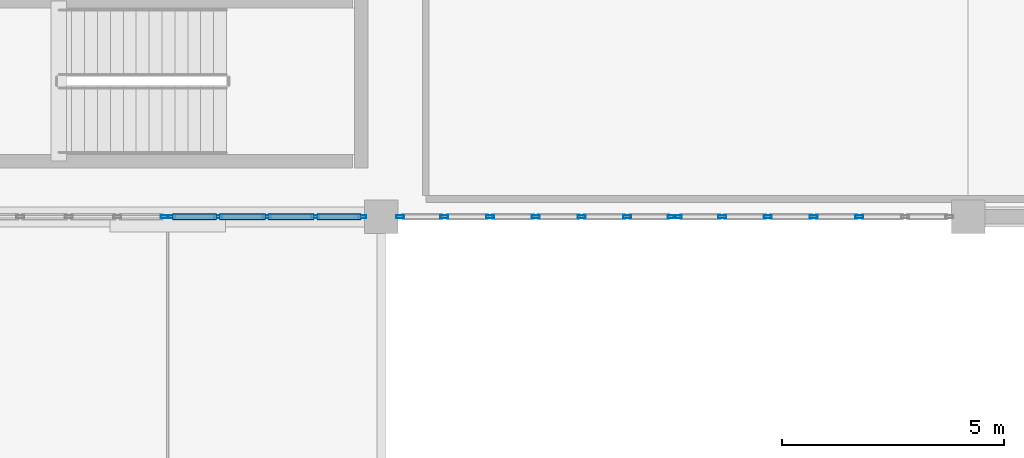
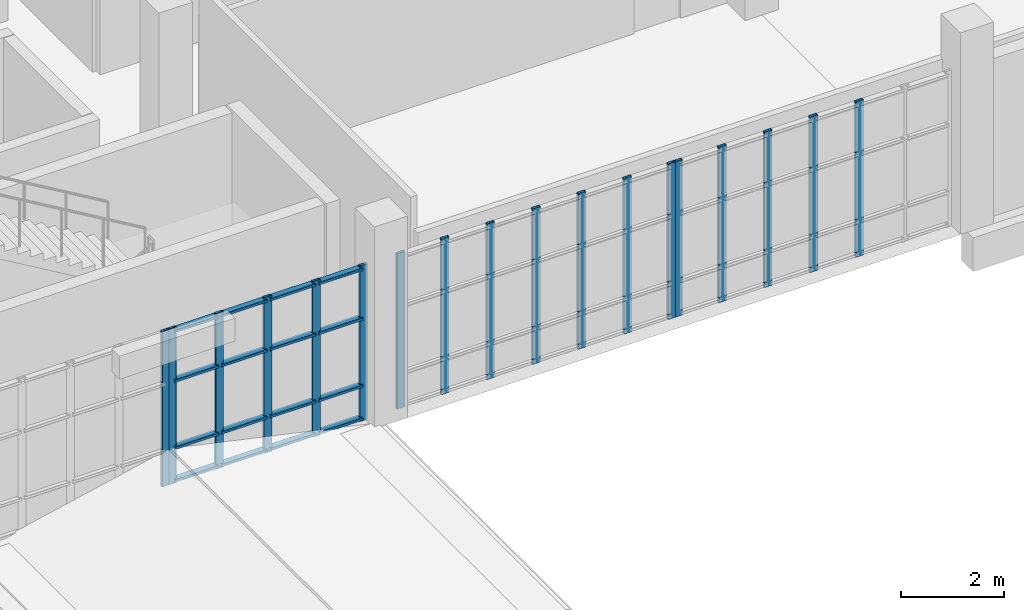
# One storey, part 55 of 106: 34 members, 4 elements without a shape of their own.
"""IFC4 building model written with IfcOpenShell, lengths in metres."""

import ifcopenshell
import ifcopenshell.guid

model = None  # the IFC model being written
_history = None  # IfcOwnerHistory: only IFC2X3 demands one
_inside = {}  # id of a spatial element -> (the spatial element, [elements in it])
_under = {}  # id of a project, library or spatial element -> (it, [spatial elements below it])
_declared = {}  # id of a project -> (the project, [libraries it declares])
_typed = {}  # id of a type object -> (the type object, [elements of that type])
_made_of = {}  # id of a material, layer set ... -> (it, [elements and type objects made of it])


def new_model(schema):
    """Start an empty IFC model of exactly this schema.

    Asked for "IFC4X3", IfcOpenShell would pick the latest addendum, in which some entities
    have other attributes; the version numbers below select the first issue.
    IFC2X3 requires an IfcOwnerHistory on every rooted entity: one is made here for all.
    """
    global model, _history
    if schema == "IFC4X3":
        model = ifcopenshell.file(schema_version=(4, 3, 0, 0))
    else:
        model = ifcopenshell.file(schema=schema)
    _inside.clear()
    _under.clear()
    _declared.clear()
    _typed.clear()
    _made_of.clear()
    _history = None
    if model.schema == "IFC2X3":
        org = make("IfcOrganization", Name="unknown")
        user = make(
            "IfcPersonAndOrganization",
            ThePerson=make("IfcPerson", FamilyName="unknown"),
            TheOrganization=org,
        )
        app = make(
            "IfcApplication",
            ApplicationDeveloper=org,
            Version="unknown",
            ApplicationFullName="unknown",
            ApplicationIdentifier="unknown",
        )
        _history = make(
            "IfcOwnerHistory",
            OwningUser=user,
            OwningApplication=app,
            ChangeAction="ADDED",
            CreationDate=0,
        )
    return model


def make(cls, **values):
    """One entity of the class cls with the attributes given. An attribute that is None is left unset."""
    return model.create_entity(
        cls, **{name: value for name, value in values.items() if value is not None}
    )


def rooted(cls, **values):
    """An entity with a GlobalId (a new one), such as an element, a storey or a relation."""
    return make(cls, GlobalId=ifcopenshell.guid.new(), OwnerHistory=_history, **values)


def si_unit(unit_type, name, prefix=None):
    """IfcSIUnit, for example si_unit("LENGTHUNIT", "METRE", prefix="MILLI")."""
    return make("IfcSIUnit", UnitType=unit_type, Prefix=prefix, Name=name)


def assignment(units):
    """IfcUnitAssignment: the units of a project."""
    return None if units is None else make("IfcUnitAssignment", Units=units)


def point(xyz):
    """IfcCartesianPoint."""
    return None if xyz is None else make("IfcCartesianPoint", Coordinates=xyz)


def direction(xyz):
    """IfcDirection."""
    return None if xyz is None else make("IfcDirection", DirectionRatios=xyz)


def frame(location, z_axis=None, x_axis=None):
    """IfcAxis2Placement3D, a coordinate frame: its origin and axes. An axis left out is left unset."""
    return make(
        "IfcAxis2Placement3D",
        Location=point(location),
        Axis=direction(z_axis),
        RefDirection=direction(x_axis),
    )


def frame_2d(location, x_axis=None):
    """IfcAxis2Placement2D, a coordinate frame in the plane: its origin and x axis."""
    return make(
        "IfcAxis2Placement2D", Location=point(location), RefDirection=direction(x_axis)
    )


def origin():
    """The frame at (0, 0, 0) with its axes left unset."""
    return frame((0.0, 0.0, 0.0))


def origin_2d():
    """The frame at (0, 0) in the plane with its x axis left unset."""
    return frame_2d((0.0, 0.0))


def place(relative_to, where):
    """IfcLocalPlacement: puts the frame where relative to a parent placement (None: the world)."""
    return make(
        "IfcLocalPlacement", PlacementRelTo=relative_to, RelativePlacement=where
    )


def context(
    kind, dimensions, precision=None, world=None, true_north=None, identifier=None
):
    """IfcGeometricRepresentationContext, for example the 3D "Model" context."""
    return make(
        "IfcGeometricRepresentationContext",
        ContextIdentifier=identifier,
        ContextType=kind,
        CoordinateSpaceDimension=dimensions,
        Precision=precision,
        WorldCoordinateSystem=world,
        TrueNorth=true_north,
    )


def subcontext(parent, identifier, kind, view, scale=None):
    """IfcGeometricRepresentationSubContext, for example "Body" below "Model"."""
    return make(
        "IfcGeometricRepresentationSubContext",
        ContextIdentifier=identifier,
        ContextType=kind,
        ParentContext=parent,
        TargetScale=scale,
        TargetView=view,
    )


def project(units=None, contexts=None):
    """IfcProject with its units and contexts."""
    return rooted(
        "IfcProject",
        Name="project",
        RepresentationContexts=contexts,
        UnitsInContext=assignment(units),
    )


def spatial(cls, under=None, at=None, **own):
    """A site, building, storey or space (cls), placed at a placement, below another one or the project."""
    s = rooted(cls, ObjectPlacement=at, **own)
    if under is not None:
        _under.setdefault(under.id(), (under, []))[1].append(s)
    return s


def profile(cls, at=None, kind="AREA", **sizes):
    """A parametric profile (cls). Its sizes go by their IFC names, for example OverallWidth=200.0."""
    return make(cls, ProfileType=kind, Position=at, **sizes)


def hollow_rectangle(**sizes):
    """IfcRectangleHollowProfileDef."""
    return profile("IfcRectangleHollowProfileDef", **sizes)


def extrude(swept, where, along, depth):
    """IfcExtrudedAreaSolid: the profile swept, set in the frame where, extruded along a direction by depth."""
    return make(
        "IfcExtrudedAreaSolid",
        SweptArea=swept,
        Position=where,
        ExtrudedDirection=direction(along),
        Depth=depth,
    )


def shape(context_of_items, identifier, shape_type, items):
    """IfcShapeRepresentation: the items that make up one representation, for example the "Body"."""
    return make(
        "IfcShapeRepresentation",
        ContextOfItems=context_of_items,
        RepresentationIdentifier=identifier,
        RepresentationType=shape_type,
        Items=items,
    )


def material(Name=None, Category=None):
    """IfcMaterial."""
    return make("IfcMaterial", Name=Name, Category=Category)


def layer(
    of_material, thickness, ventilated=None, Name=None, Category=None, Priority=None
):
    """IfcMaterialLayer: one layer of a wall or slab, of a material (None: an air gap)."""
    return make(
        "IfcMaterialLayer",
        Material=of_material,
        LayerThickness=thickness,
        IsVentilated=ventilated,
        Name=Name,
        Category=Category,
        Priority=Priority,
    )


def layer_set(layers, Name=None):
    """IfcMaterialLayerSet."""
    return make("IfcMaterialLayerSet", MaterialLayers=layers, LayerSetName=Name)


def material_profile(
    of_material, cross_section, Name=None, Category=None, Priority=None
):
    """IfcMaterialProfile: a cross section and its material."""
    return make(
        "IfcMaterialProfile",
        Name=Name,
        Material=of_material,
        Profile=cross_section,
        Priority=Priority,
        Category=Category,
    )


def profile_set(profiles, Name=None, composite=None):
    """IfcMaterialProfileSet."""
    return make(
        "IfcMaterialProfileSet",
        Name=Name,
        MaterialProfiles=profiles,
        CompositeProfile=composite,
    )


def made_of(thing, what):
    """Note that an element or type object is made of a material, layer set ...; save() writes the relation."""
    if what is not None:
        _made_of.setdefault(what.id(), (what, []))[1].append(thing)
    return thing


def type_object(cls, material=None, **own):
    """A type object (cls), such as IfcWallType, which elements share."""
    return made_of(rooted(cls, **own), material)


def element(
    cls,
    number,
    at=None,
    inside=None,
    cuts=None,
    type_object=None,
    material=None,
    context=None,
    identifier="Body",
    shape_type=None,
    held_by="IfcProductDefinitionShape",
    body=None,
    shapes=None,
    **own,
):
    """One element of the class cls, such as IfcWall. Its Tag is "e" and its number.

    at: its placement. inside: the storey or other place that contains it. cuts: it is an
    opening in that element (IfcRelVoidsElement). A single representation is given by context,
    identifier, shape_type and body (its items); several are given by shapes. held_by: the class
    of the entity that holds the representations. save() writes the other relations.
    """
    e = rooted(cls, Tag="e%d" % number, ObjectPlacement=at, **own)
    if body is not None:
        shapes = [shape(context, identifier, shape_type, body)]
    if shapes is not None:
        e.Representation = make(held_by, Representations=shapes)
    if inside is not None:
        _inside.setdefault(inside.id(), (inside, []))[1].append(e)
    if cuts is not None:
        rooted(
            "IfcRelVoidsElement", RelatingBuildingElement=cuts, RelatedOpeningElement=e
        )
    if type_object is not None:
        _typed.setdefault(type_object.id(), (type_object, []))[1].append(e)
    return made_of(e, material)


def aggregate(whole, parts):
    """IfcRelAggregates: a whole, such as a stair, and the parts it consists of."""
    return rooted("IfcRelAggregates", RelatingObject=whole, RelatedObjects=parts)


def save(model, path):
    """Write the relations noted so far, then the file.

    IfcRelAggregates (storeys below a building ...), IfcRelContainedInSpatialStructure (elements
    in a storey), IfcRelDefinesByType, IfcRelAssociatesMaterial and IfcRelDeclares: one each for
    every whole, place, type object, material and project.
    """
    for whole, parts in _under.values():
        aggregate(whole, parts)
    for where, things in _inside.values():
        rooted(
            "IfcRelContainedInSpatialStructure",
            RelatedElements=things,
            RelatingStructure=where,
        )
    for kind, things in _typed.values():
        rooted("IfcRelDefinesByType", RelatedObjects=things, RelatingType=kind)
    for what, things in _made_of.values():
        rooted("IfcRelAssociatesMaterial", RelatedObjects=things, RelatingMaterial=what)
    for by, libraries in _declared.values():
        rooted("IfcRelDeclares", RelatingContext=by, RelatedDefinitions=libraries)
    model.write(path)


model = new_model("IFC4")

# Units and contexts
model_context = context("Model", 3, precision=1e-05, world=origin(), true_north=direction((0.0, 1.0)))
body_context = subcontext(model_context, "Body", "Model", "MODEL_VIEW")
ifc_project = project(units=[si_unit("LENGTHUNIT", "METRE"), si_unit("AREAUNIT", "SQUARE_METRE"), si_unit("VOLUMEUNIT", "CUBIC_METRE"), si_unit("PLANEANGLEUNIT", "RADIAN"), si_unit("MASSUNIT", "GRAM", prefix="KILO")], contexts=[model_context])

# Site, building, storey
site_placement = place(None, origin())
site = spatial("IfcSite", under=ifc_project, at=site_placement, CompositionType="ELEMENT")
building_placement = place(site_placement, origin())
building = spatial("IfcBuilding", under=site, at=building_placement, Name="Kisaragi Civic Commons", CompositionType="ELEMENT")
storey_placement = place(building_placement, frame((0.0, 0.0, 4.800048828125)))
storey = spatial("IfcBuildingStorey", under=building, at=storey_placement, Name="L01", CompositionType="ELEMENT", Elevation=4.800048828125)

# Curtain wall, members
ifc_material = material(Name="Thermally broken anodized aluminium and low-E double glazing", Category="aluminium")
ifc_layer = layer(ifc_material, 0.179931640625, Name="Thermally broken anodized aluminium and low-E double glazing", Category="aluminium")
ifc_layer_set = layer_set([ifc_layer], Name="Thermally broken anodized aluminium and low-E double glazing")
curtain_wall_type = type_object("IfcCurtainWallType", Name="CW-01", PredefinedType="NOTDEFINED", material=ifc_layer_set)
curtain_wall_1_placement = place(storey_placement, origin())
curtain_wall_1 = element("IfcCurtainWall", 1, at=curtain_wall_1_placement, inside=storey, type_object=curtain_wall_type, Name="L01 curtain wall CW-01 CW-V4-L01-073", PredefinedType="NOTDEFINED")
ifc_material_profile_1 = material_profile(ifc_material, hollow_rectangle(XDim=0.06494140625, YDim=0.179931640625, WallThickness=0.00439453125, InnerFilletRadius=0.00439453125, OuterFilletRadius=0.009033203125, at=origin_2d()), Name="CWM-65x180x4.5", Category="aluminium")
ifc_profile_set_1 = profile_set([ifc_material_profile_1], Name="Thermally broken anodized aluminium and low-E double glazing")
member_type_1 = type_object("IfcMemberType", Name="CWM-02", PredefinedType="MULLION", material=ifc_profile_set_1)
member_1_placement = place(storey_placement, frame((143.953369140625, 96.0, 0.0), z_axis=(0.0, 0.0, 1.0), x_axis=(0.0, -1.0, 0.0)))
member_1 = element("IfcMember", 2, at=member_1_placement, type_object=member_type_1, Name="CW-01 mullion 3", PredefinedType="MULLION", context=body_context, shape_type="SweptSolid", body=[
    extrude(hollow_rectangle(XDim=0.06494140625, YDim=0.179931640625, WallThickness=0.00439453125, InnerFilletRadius=0.00439453125, OuterFilletRadius=0.009033203125, at=origin_2d()), origin(), (0.0, 0.0, 1.0), 3.704833984375),
])
member_2_placement = place(storey_placement, frame((142.925048828125, 96.0, 0.0), z_axis=(0.0, 0.0, 1.0), x_axis=(0.0, -1.0, 0.0)))
member_2 = element("IfcMember", 3, at=member_2_placement, type_object=member_type_1, Name="CW-01 mullion 4", PredefinedType="MULLION", context=body_context, shape_type="SweptSolid", body=[
    extrude(hollow_rectangle(XDim=0.06494140625, YDim=0.179931640625, WallThickness=0.00439453125, InnerFilletRadius=0.00439453125, OuterFilletRadius=0.009033203125, at=origin_2d()), origin(), (0.0, 0.0, 1.0), 3.704833984375),
])
member_3_placement = place(storey_placement, frame((141.896728515625, 96.0, 0.0), z_axis=(0.0, 0.0, 1.0), x_axis=(0.0, -1.0, 0.0)))
member_3 = element("IfcMember", 4, at=member_3_placement, type_object=member_type_1, Name="CW-01 mullion 5", PredefinedType="MULLION", context=body_context, shape_type="SweptSolid", body=[
    extrude(hollow_rectangle(XDim=0.06494140625, YDim=0.179931640625, WallThickness=0.00439453125, InnerFilletRadius=0.00439453125, OuterFilletRadius=0.009033203125, at=origin_2d()), origin(), (0.0, 0.0, 1.0), 3.704833984375),
])
member_4_placement = place(storey_placement, frame((140.868408203125, 96.0, 0.0), z_axis=(0.0, 0.0, 1.0), x_axis=(0.0, -1.0, 0.0)))
member_4 = element("IfcMember", 5, at=member_4_placement, type_object=member_type_1, Name="CW-01 mullion 6", PredefinedType="MULLION", context=body_context, shape_type="SweptSolid", body=[
    extrude(hollow_rectangle(XDim=0.06494140625, YDim=0.179931640625, WallThickness=0.00439453125, InnerFilletRadius=0.00439453125, OuterFilletRadius=0.009033203125, at=origin_2d()), origin(), (0.0, 0.0, 1.0), 3.704833984375),
])
member_5_placement = place(storey_placement, frame((139.87255859375, 96.0, 0.0), z_axis=(0.0, 0.0, 1.0), x_axis=(0.0, -1.0, 0.0)))
member_5 = element("IfcMember", 6, at=member_5_placement, type_object=member_type_1, Name="CW-01 mullion 7", PredefinedType="MULLION", context=body_context, shape_type="SweptSolid", body=[
    extrude(hollow_rectangle(XDim=0.06494140625, YDim=0.179931640625, WallThickness=0.00439453125, InnerFilletRadius=0.00439453125, OuterFilletRadius=0.009033203125, at=origin_2d()), origin(), (0.0, 0.0, 1.0), 3.704833984375),
])
aggregate(curtain_wall_1, [member_1, member_2, member_3, member_4, member_5])

curtain_wall_2_placement = place(storey_placement, origin())
curtain_wall_2 = element("IfcCurtainWall", 7, at=curtain_wall_2_placement, inside=storey, type_object=curtain_wall_type, Name="L01 curtain wall CW-01 CW-V4-L01-074", PredefinedType="NOTDEFINED")
member_6_placement = place(storey_placement, frame((139.7275390625, 96.0, 0.0), z_axis=(0.0, 0.0, 1.0), x_axis=(0.0, -1.0, 0.0)))
member_6 = element("IfcMember", 8, at=member_6_placement, type_object=member_type_1, Name="CW-01 mullion 1", PredefinedType="MULLION", context=body_context, shape_type="SweptSolid", body=[
    extrude(hollow_rectangle(XDim=0.06494140625, YDim=0.179931640625, WallThickness=0.00439453125, InnerFilletRadius=0.00439453125, OuterFilletRadius=0.009033203125, at=origin_2d()), origin(), (0.0, 0.0, 1.0), 3.704833984375),
])
member_7_placement = place(storey_placement, frame((138.731689453125, 96.0, 0.0), z_axis=(0.0, 0.0, 1.0), x_axis=(0.0, -1.0, 0.0)))
member_7 = element("IfcMember", 9, at=member_7_placement, type_object=member_type_1, Name="CW-01 mullion 2", PredefinedType="MULLION", context=body_context, shape_type="SweptSolid", body=[
    extrude(hollow_rectangle(XDim=0.06494140625, YDim=0.179931640625, WallThickness=0.00439453125, InnerFilletRadius=0.00439453125, OuterFilletRadius=0.009033203125, at=origin_2d()), origin(), (0.0, 0.0, 1.0), 3.704833984375),
])
member_8_placement = place(storey_placement, frame((137.703369140625, 96.0, 0.0), z_axis=(0.0, 0.0, 1.0), x_axis=(0.0, -1.0, 0.0)))
member_8 = element("IfcMember", 10, at=member_8_placement, type_object=member_type_1, Name="CW-01 mullion 3", PredefinedType="MULLION", context=body_context, shape_type="SweptSolid", body=[
    extrude(hollow_rectangle(XDim=0.06494140625, YDim=0.179931640625, WallThickness=0.00439453125, InnerFilletRadius=0.00439453125, OuterFilletRadius=0.009033203125, at=origin_2d()), origin(), (0.0, 0.0, 1.0), 3.704833984375),
])
member_9_placement = place(storey_placement, frame((136.675048828125, 96.0, 0.0), z_axis=(0.0, 0.0, 1.0), x_axis=(0.0, -1.0, 0.0)))
member_9 = element("IfcMember", 11, at=member_9_placement, type_object=member_type_1, Name="CW-01 mullion 4", PredefinedType="MULLION", context=body_context, shape_type="SweptSolid", body=[
    extrude(hollow_rectangle(XDim=0.06494140625, YDim=0.179931640625, WallThickness=0.00439453125, InnerFilletRadius=0.00439453125, OuterFilletRadius=0.009033203125, at=origin_2d()), origin(), (0.0, 0.0, 1.0), 3.704833984375),
])
member_10_placement = place(storey_placement, frame((135.646728515625, 96.0, 0.0), z_axis=(0.0, 0.0, 1.0), x_axis=(0.0, -1.0, 0.0)))
member_10 = element("IfcMember", 12, at=member_10_placement, type_object=member_type_1, Name="CW-01 mullion 5", PredefinedType="MULLION", context=body_context, shape_type="SweptSolid", body=[
    extrude(hollow_rectangle(XDim=0.06494140625, YDim=0.179931640625, WallThickness=0.00439453125, InnerFilletRadius=0.00439453125, OuterFilletRadius=0.009033203125, at=origin_2d()), origin(), (0.0, 0.0, 1.0), 3.704833984375),
])
member_11_placement = place(storey_placement, frame((134.618408203125, 96.0, 0.0), z_axis=(0.0, 0.0, 1.0), x_axis=(0.0, -1.0, 0.0)))
member_11 = element("IfcMember", 13, at=member_11_placement, type_object=member_type_1, Name="CW-01 mullion 6", PredefinedType="MULLION", context=body_context, shape_type="SweptSolid", body=[
    extrude(hollow_rectangle(XDim=0.06494140625, YDim=0.179931640625, WallThickness=0.00439453125, InnerFilletRadius=0.00439453125, OuterFilletRadius=0.009033203125, at=origin_2d()), origin(), (0.0, 0.0, 1.0), 3.704833984375),
])
member_12_placement = place(storey_placement, frame((133.62255859375, 96.0, 0.0), z_axis=(0.0, 0.0, 1.0), x_axis=(0.0, -1.0, 0.0)))
member_12 = element("IfcMember", 14, at=member_12_placement, type_object=member_type_1, Name="CW-01 mullion 7", PredefinedType="MULLION", context=body_context, shape_type="SweptSolid", body=[
    extrude(hollow_rectangle(XDim=0.06494140625, YDim=0.179931640625, WallThickness=0.00439453125, InnerFilletRadius=0.00439453125, OuterFilletRadius=0.009033203125, at=origin_2d()), origin(), (0.0, 0.0, 1.0), 3.704833984375),
])
aggregate(curtain_wall_2, [member_6, member_7, member_8, member_9, member_10, member_11, member_12])

curtain_wall_3_placement = place(storey_placement, origin())
curtain_wall_3 = element("IfcCurtainWall", 15, at=curtain_wall_3_placement, inside=storey, type_object=curtain_wall_type, Name="L01 curtain wall CW-01 CW-V4-L01-075", PredefinedType="NOTDEFINED")
member_13_placement = place(storey_placement, frame((132.777587890625, 96.0, 0.0), z_axis=(0.0, 0.0, 1.0), x_axis=(0.0, -1.0, 0.0)))
member_13 = element("IfcMember", 16, at=member_13_placement, type_object=member_type_1, Name="CW-01 mullion 1", PredefinedType="MULLION", context=body_context, shape_type="SweptSolid", body=[
    extrude(hollow_rectangle(XDim=0.06494140625, YDim=0.179931640625, WallThickness=0.00439453125, InnerFilletRadius=0.00439453125, OuterFilletRadius=0.009033203125, at=origin_2d()), origin(), (0.0, 0.0, 1.0), 3.704833984375),
])
member_14_placement = place(storey_placement, frame((131.717529296875, 96.0, 0.0), z_axis=(0.0, 0.0, 1.0), x_axis=(0.0, -1.0, 0.0)))
member_14 = element("IfcMember", 17, at=member_14_placement, type_object=member_type_1, Name="CW-01 mullion 2", PredefinedType="MULLION", context=body_context, shape_type="SweptSolid", body=[
    extrude(hollow_rectangle(XDim=0.06494140625, YDim=0.179931640625, WallThickness=0.00439453125, InnerFilletRadius=0.00439453125, OuterFilletRadius=0.009033203125, at=origin_2d()), origin(), (0.0, 0.0, 1.0), 3.704833984375),
])
member_15_placement = place(storey_placement, frame((130.625, 96.0, 0.0), z_axis=(0.0, 0.0, 1.0), x_axis=(0.0, -1.0, 0.0)))
member_15 = element("IfcMember", 18, at=member_15_placement, type_object=member_type_1, Name="CW-01 mullion 3", PredefinedType="MULLION", context=body_context, shape_type="SweptSolid", body=[
    extrude(hollow_rectangle(XDim=0.06494140625, YDim=0.179931640625, WallThickness=0.00439453125, InnerFilletRadius=0.00439453125, OuterFilletRadius=0.009033203125, at=origin_2d()), origin(), (0.0, 0.0, 1.0), 3.704833984375),
])
member_16_placement = place(storey_placement, frame((129.532470703125, 96.0, 0.0), z_axis=(0.0, 0.0, 1.0), x_axis=(0.0, -1.0, 0.0)))
member_16 = element("IfcMember", 19, at=member_16_placement, type_object=member_type_1, Name="CW-01 mullion 4", PredefinedType="MULLION", context=body_context, shape_type="SweptSolid", body=[
    extrude(hollow_rectangle(XDim=0.06494140625, YDim=0.179931640625, WallThickness=0.00439453125, InnerFilletRadius=0.00439453125, OuterFilletRadius=0.009033203125, at=origin_2d()), origin(), (0.0, 0.0, 1.0), 3.704833984375),
])
member_17_placement = place(storey_placement, frame((128.472412109375, 96.0, 0.0), z_axis=(0.0, 0.0, 1.0), x_axis=(0.0, -1.0, 0.0)))
member_17 = element("IfcMember", 20, at=member_17_placement, type_object=member_type_1, Name="CW-01 mullion 5", PredefinedType="MULLION", context=body_context, shape_type="SweptSolid", body=[
    extrude(hollow_rectangle(XDim=0.06494140625, YDim=0.179931640625, WallThickness=0.00439453125, InnerFilletRadius=0.00439453125, OuterFilletRadius=0.009033203125, at=origin_2d()), origin(), (0.0, 0.0, 1.0), 3.704833984375),
])

# Curtain wall, member
curtain_wall_4_placement = place(storey_placement, origin())
curtain_wall_4 = element("IfcCurtainWall", 21, at=curtain_wall_4_placement, inside=storey, type_object=curtain_wall_type, Name="L01 curtain wall CW-01 CW-V4-L01-076", PredefinedType="NOTDEFINED")
member_18_placement = place(storey_placement, frame((128.327392578125, 96.0, 0.0), z_axis=(0.0, 0.0, 1.0), x_axis=(0.0, -1.0, 0.0)))
member_18 = element("IfcMember", 22, at=member_18_placement, type_object=member_type_1, Name="CW-01 mullion 1", PredefinedType="MULLION", context=body_context, shape_type="SweptSolid", body=[
    extrude(hollow_rectangle(XDim=0.06494140625, YDim=0.179931640625, WallThickness=0.00439453125, InnerFilletRadius=0.00439453125, OuterFilletRadius=0.009033203125, at=origin_2d()), origin(), (0.0, 0.0, 1.0), 3.704833984375),
])
aggregate(curtain_wall_4, [member_18])

# Member
ifc_material_profile_2 = material_profile(ifc_material, hollow_rectangle(XDim=0.139892578125, YDim=0.06494140625, WallThickness=0.00439453125, InnerFilletRadius=0.00439453125, OuterFilletRadius=0.009033203125, at=origin_2d()), Name="CWT-65x140x4.5", Category="aluminium")
ifc_profile_set_2 = profile_set([ifc_material_profile_2], Name="Thermally broken anodized aluminium and low-E double glazing")
member_type_2 = type_object("IfcMemberType", Name="CWT-02", PredefinedType="USERDEFINED", material=ifc_profile_set_2)
member_19_placement = place(storey_placement, frame((132.7451171875, 96.0, 0.070068359375), z_axis=(-1.0, 0.0, 0.0), x_axis=(0.0, -1.0, 0.0)))
member_19 = element("IfcMember", 23, at=member_19_placement, type_object=member_type_2, Name="CW-01 transom 1.1", ObjectType="TRANSOM", PredefinedType="USERDEFINED", context=body_context, shape_type="SweptSolid", body=[
    extrude(hollow_rectangle(XDim=0.139892578125, YDim=0.06494140625, WallThickness=0.00439453125, InnerFilletRadius=0.00439453125, OuterFilletRadius=0.009033203125, at=origin_2d()), origin(), (0.0, 0.0, 1.0), 0.9951171875),
])

member_20_placement = place(storey_placement, frame((132.7451171875, 96.0, 0.849853515625), z_axis=(-1.0, 0.0, 0.0), x_axis=(0.0, -1.0, 0.0)))
member_20 = element("IfcMember", 24, at=member_20_placement, type_object=member_type_2, Name="CW-01 transom 1.2", ObjectType="TRANSOM", PredefinedType="USERDEFINED", context=body_context, shape_type="SweptSolid", body=[
    extrude(hollow_rectangle(XDim=0.139892578125, YDim=0.06494140625, WallThickness=0.00439453125, InnerFilletRadius=0.00439453125, OuterFilletRadius=0.009033203125, at=origin_2d()), origin(), (0.0, 0.0, 1.0), 0.9951171875),
])

member_21_placement = place(storey_placement, frame((132.7451171875, 96.0, 2.449951171875), z_axis=(-1.0, 0.0, 0.0), x_axis=(0.0, -1.0, 0.0)))
member_21 = element("IfcMember", 25, at=member_21_placement, type_object=member_type_2, Name="CW-01 transom 1.3", ObjectType="TRANSOM", PredefinedType="USERDEFINED", context=body_context, shape_type="SweptSolid", body=[
    extrude(hollow_rectangle(XDim=0.139892578125, YDim=0.06494140625, WallThickness=0.00439453125, InnerFilletRadius=0.00439453125, OuterFilletRadius=0.009033203125, at=origin_2d()), origin(), (0.0, 0.0, 1.0), 0.9951171875),
])

member_22_placement = place(storey_placement, frame((132.7451171875, 96.0, 3.635009765625), z_axis=(-1.0, 0.0, 0.0), x_axis=(0.0, -1.0, 0.0)))
member_22 = element("IfcMember", 26, at=member_22_placement, type_object=member_type_2, Name="CW-01 transom 1.4", ObjectType="TRANSOM", PredefinedType="USERDEFINED", context=body_context, shape_type="SweptSolid", body=[
    extrude(hollow_rectangle(XDim=0.139892578125, YDim=0.06494140625, WallThickness=0.00439453125, InnerFilletRadius=0.00439453125, OuterFilletRadius=0.009033203125, at=origin_2d()), origin(), (0.0, 0.0, 1.0), 0.9951171875),
])

member_23_placement = place(storey_placement, frame((131.68505859375, 96.0, 0.070068359375), z_axis=(-1.0, 0.0, 0.0), x_axis=(0.0, -1.0, 0.0)))
member_23 = element("IfcMember", 27, at=member_23_placement, type_object=member_type_2, Name="CW-01 transom 2.1", ObjectType="TRANSOM", PredefinedType="USERDEFINED", context=body_context, shape_type="SweptSolid", body=[
    extrude(hollow_rectangle(XDim=0.139892578125, YDim=0.06494140625, WallThickness=0.00439453125, InnerFilletRadius=0.00439453125, OuterFilletRadius=0.009033203125, at=origin_2d()), origin(), (0.0, 0.0, 1.0), 1.027587890625),
])

member_24_placement = place(storey_placement, frame((131.68505859375, 96.0, 0.849853515625), z_axis=(-1.0, 0.0, 0.0), x_axis=(0.0, -1.0, 0.0)))
member_24 = element("IfcMember", 28, at=member_24_placement, type_object=member_type_2, Name="CW-01 transom 2.2", ObjectType="TRANSOM", PredefinedType="USERDEFINED", context=body_context, shape_type="SweptSolid", body=[
    extrude(hollow_rectangle(XDim=0.139892578125, YDim=0.06494140625, WallThickness=0.00439453125, InnerFilletRadius=0.00439453125, OuterFilletRadius=0.009033203125, at=origin_2d()), origin(), (0.0, 0.0, 1.0), 1.027587890625),
])

member_25_placement = place(storey_placement, frame((131.68505859375, 96.0, 2.449951171875), z_axis=(-1.0, 0.0, 0.0), x_axis=(0.0, -1.0, 0.0)))
member_25 = element("IfcMember", 29, at=member_25_placement, type_object=member_type_2, Name="CW-01 transom 2.3", ObjectType="TRANSOM", PredefinedType="USERDEFINED", context=body_context, shape_type="SweptSolid", body=[
    extrude(hollow_rectangle(XDim=0.139892578125, YDim=0.06494140625, WallThickness=0.00439453125, InnerFilletRadius=0.00439453125, OuterFilletRadius=0.009033203125, at=origin_2d()), origin(), (0.0, 0.0, 1.0), 1.027587890625),
])

member_26_placement = place(storey_placement, frame((131.68505859375, 96.0, 3.635009765625), z_axis=(-1.0, 0.0, 0.0), x_axis=(0.0, -1.0, 0.0)))
member_26 = element("IfcMember", 30, at=member_26_placement, type_object=member_type_2, Name="CW-01 transom 2.4", ObjectType="TRANSOM", PredefinedType="USERDEFINED", context=body_context, shape_type="SweptSolid", body=[
    extrude(hollow_rectangle(XDim=0.139892578125, YDim=0.06494140625, WallThickness=0.00439453125, InnerFilletRadius=0.00439453125, OuterFilletRadius=0.009033203125, at=origin_2d()), origin(), (0.0, 0.0, 1.0), 1.027587890625),
])

member_27_placement = place(storey_placement, frame((130.592529296875, 96.0, 0.070068359375), z_axis=(-1.0, 0.0, 0.0), x_axis=(0.0, -1.0, 0.0)))
member_27 = element("IfcMember", 31, at=member_27_placement, type_object=member_type_2, Name="CW-01 transom 3.1", ObjectType="TRANSOM", PredefinedType="USERDEFINED", context=body_context, shape_type="SweptSolid", body=[
    extrude(hollow_rectangle(XDim=0.139892578125, YDim=0.06494140625, WallThickness=0.00439453125, InnerFilletRadius=0.00439453125, OuterFilletRadius=0.009033203125, at=origin_2d()), origin(), (0.0, 0.0, 1.0), 1.027587890625),
])

member_28_placement = place(storey_placement, frame((130.592529296875, 96.0, 0.849853515625), z_axis=(-1.0, 0.0, 0.0), x_axis=(0.0, -1.0, 0.0)))
member_28 = element("IfcMember", 32, at=member_28_placement, type_object=member_type_2, Name="CW-01 transom 3.2", ObjectType="TRANSOM", PredefinedType="USERDEFINED", context=body_context, shape_type="SweptSolid", body=[
    extrude(hollow_rectangle(XDim=0.139892578125, YDim=0.06494140625, WallThickness=0.00439453125, InnerFilletRadius=0.00439453125, OuterFilletRadius=0.009033203125, at=origin_2d()), origin(), (0.0, 0.0, 1.0), 1.027587890625),
])

member_29_placement = place(storey_placement, frame((130.592529296875, 96.0, 2.449951171875), z_axis=(-1.0, 0.0, 0.0), x_axis=(0.0, -1.0, 0.0)))
member_29 = element("IfcMember", 33, at=member_29_placement, type_object=member_type_2, Name="CW-01 transom 3.3", ObjectType="TRANSOM", PredefinedType="USERDEFINED", context=body_context, shape_type="SweptSolid", body=[
    extrude(hollow_rectangle(XDim=0.139892578125, YDim=0.06494140625, WallThickness=0.00439453125, InnerFilletRadius=0.00439453125, OuterFilletRadius=0.009033203125, at=origin_2d()), origin(), (0.0, 0.0, 1.0), 1.027587890625),
])

member_30_placement = place(storey_placement, frame((130.592529296875, 96.0, 3.635009765625), z_axis=(-1.0, 0.0, 0.0), x_axis=(0.0, -1.0, 0.0)))
member_30 = element("IfcMember", 34, at=member_30_placement, type_object=member_type_2, Name="CW-01 transom 3.4", ObjectType="TRANSOM", PredefinedType="USERDEFINED", context=body_context, shape_type="SweptSolid", body=[
    extrude(hollow_rectangle(XDim=0.139892578125, YDim=0.06494140625, WallThickness=0.00439453125, InnerFilletRadius=0.00439453125, OuterFilletRadius=0.009033203125, at=origin_2d()), origin(), (0.0, 0.0, 1.0), 1.027587890625),
])

member_31_placement = place(storey_placement, frame((129.5, 96.0, 0.070068359375), z_axis=(-1.0, 0.0, 0.0), x_axis=(0.0, -1.0, 0.0)))
member_31 = element("IfcMember", 35, at=member_31_placement, type_object=member_type_2, Name="CW-01 transom 4.1", ObjectType="TRANSOM", PredefinedType="USERDEFINED", context=body_context, shape_type="SweptSolid", body=[
    extrude(hollow_rectangle(XDim=0.139892578125, YDim=0.06494140625, WallThickness=0.00439453125, InnerFilletRadius=0.00439453125, OuterFilletRadius=0.009033203125, at=origin_2d()), origin(), (0.0, 0.0, 1.0), 0.9951171875),
])

member_32_placement = place(storey_placement, frame((129.5, 96.0, 0.849853515625), z_axis=(-1.0, 0.0, 0.0), x_axis=(0.0, -1.0, 0.0)))
member_32 = element("IfcMember", 36, at=member_32_placement, type_object=member_type_2, Name="CW-01 transom 4.2", ObjectType="TRANSOM", PredefinedType="USERDEFINED", context=body_context, shape_type="SweptSolid", body=[
    extrude(hollow_rectangle(XDim=0.139892578125, YDim=0.06494140625, WallThickness=0.00439453125, InnerFilletRadius=0.00439453125, OuterFilletRadius=0.009033203125, at=origin_2d()), origin(), (0.0, 0.0, 1.0), 0.9951171875),
])

member_33_placement = place(storey_placement, frame((129.5, 96.0, 2.449951171875), z_axis=(-1.0, 0.0, 0.0), x_axis=(0.0, -1.0, 0.0)))
member_33 = element("IfcMember", 37, at=member_33_placement, type_object=member_type_2, Name="CW-01 transom 4.3", ObjectType="TRANSOM", PredefinedType="USERDEFINED", context=body_context, shape_type="SweptSolid", body=[
    extrude(hollow_rectangle(XDim=0.139892578125, YDim=0.06494140625, WallThickness=0.00439453125, InnerFilletRadius=0.00439453125, OuterFilletRadius=0.009033203125, at=origin_2d()), origin(), (0.0, 0.0, 1.0), 0.9951171875),
])

member_34_placement = place(storey_placement, frame((129.5, 96.0, 3.635009765625), z_axis=(-1.0, 0.0, 0.0), x_axis=(0.0, -1.0, 0.0)))
member_34 = element("IfcMember", 38, at=member_34_placement, type_object=member_type_2, Name="CW-01 transom 4.4", ObjectType="TRANSOM", PredefinedType="USERDEFINED", context=body_context, shape_type="SweptSolid", body=[
    extrude(hollow_rectangle(XDim=0.139892578125, YDim=0.06494140625, WallThickness=0.00439453125, InnerFilletRadius=0.00439453125, OuterFilletRadius=0.009033203125, at=origin_2d()), origin(), (0.0, 0.0, 1.0), 0.9951171875),
])

aggregate(curtain_wall_3, [member_13, member_14, member_15, member_16, member_17, member_19, member_20, member_21, member_22, member_23, member_24, member_25, member_26, member_27, member_28, member_29, member_30, member_31, member_32, member_33, member_34])

save(model, "model.ifc")
